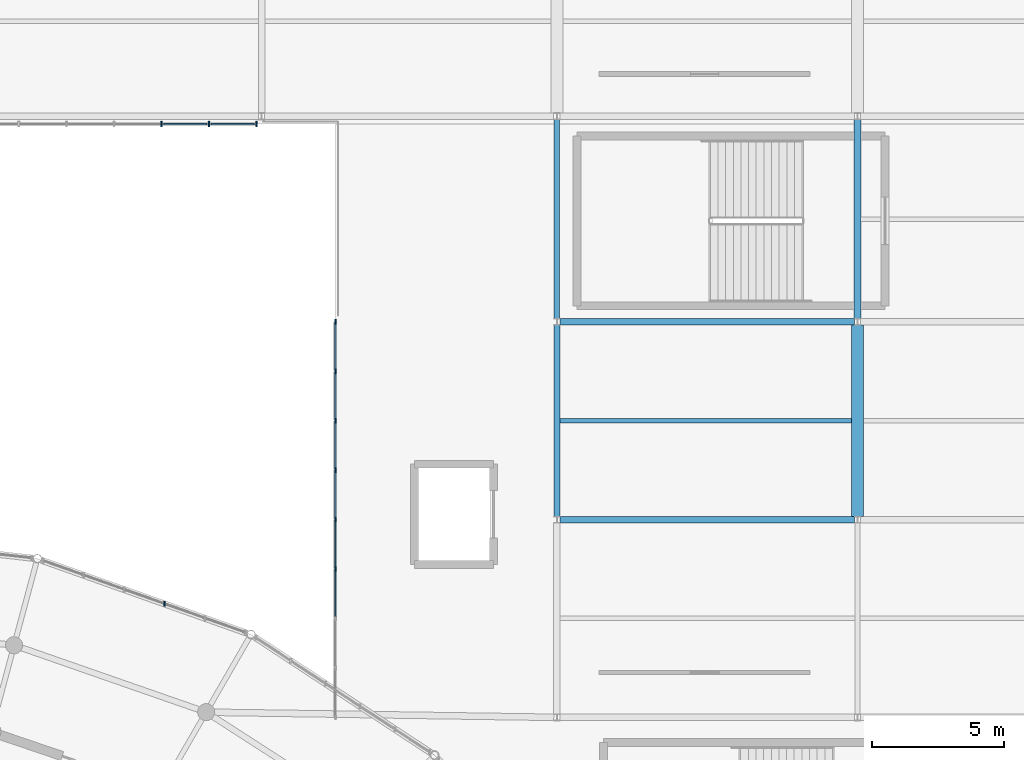
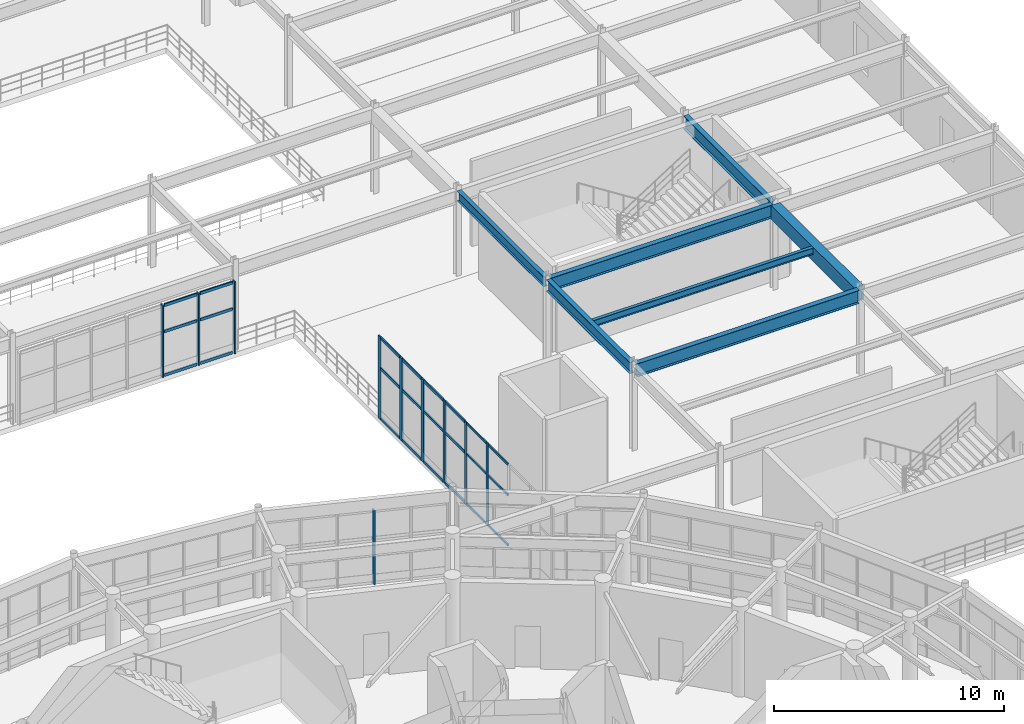
# One storey, part 77 of 144: 34 members, 7 beams, 4 elements without a shape of their own.
"""IFC4 building model written with IfcOpenShell, lengths in metres."""

from ifc_helpers import new_model, si_unit, direction, frame, origin, origin_2d, place, context, subcontext, project, spatial, rectangle, i_section, extrude, material, material_profile, profile_set, type_object, element, aggregate, save


model = new_model("IFC4")

# Units and contexts
model_context = context("Model", 3, precision=1e-05, world=origin(), true_north=direction((0.0, 1.0)))
body_context = subcontext(model_context, "Body", "Model", "MODEL_VIEW")
ifc_project = project(units=[si_unit("LENGTHUNIT", "METRE"), si_unit("AREAUNIT", "SQUARE_METRE"), si_unit("VOLUMEUNIT", "CUBIC_METRE"), si_unit("PLANEANGLEUNIT", "RADIAN"), si_unit("MASSUNIT", "GRAM", prefix="KILO")], contexts=[model_context])

# Site, building, storey
site_placement = place(None, origin())
site = spatial("IfcSite", under=ifc_project, at=site_placement, CompositionType="ELEMENT")
building_placement = place(site_placement, origin())
building = spatial("IfcBuilding", under=site, at=building_placement, Name="Cinderbank Siding Concert Hall", CompositionType="ELEMENT")
storey_placement = place(building_placement, frame((0.0, 0.0, 5.39990234375)))
storey = spatial("IfcBuildingStorey", under=building, at=storey_placement, Name="L02", CompositionType="ELEMENT", Elevation=5.39990234375)

# Beams
ifc_material_1 = material(Name="Reinforced concrete AS 3600 N50 (50 MPa)", Category="concrete")
ifc_material_profile_1 = material_profile(ifc_material_1, rectangle(XDim=0.449951171875, YDim=0.75, at=origin_2d()), Name="RC-BM-450x750", Category="LoadBearing")
ifc_profile_set_1 = profile_set([ifc_material_profile_1], Name="Reinforced concrete AS 3600 N50 (50 MPa)")
beam_type_1 = type_object("IfcBeamType", Name="BM-RC750 RC-BM-450x750", PredefinedType="BEAM", material=ifc_profile_set_1)
beam_1_placement = place(storey_placement, frame((161.800048828125, 73.4189453125, 4.177001953125), z_axis=(0.0, 1.0, 0.0), x_axis=(-1.0, 0.0, 0.0)))
element("IfcBeam", 1, at=beam_1_placement, inside=storey, type_object=beam_type_1, Name="L02 Beam BM-RC750 #1628", PredefinedType="BEAM", context=body_context, shape_type="SweptSolid", body=[
    extrude(rectangle(XDim=0.449951171875, YDim=0.75, at=origin_2d()), origin(), (0.0, 0.0, 1.0), 7.261962890625),
])
ifc_material_2 = material(Name="Structural steel AS/NZS 3679.1 Grade 350 (340 MPa)", Category="steel")
ifc_material_profile_2 = material_profile(ifc_material_2, i_section(OverallWidth=0.208984375, OverallDepth=0.5283203125, WebThickness=0.009521484375, FlangeThickness=0.01318359375, at=origin_2d()), Name="530UB82.0", Category="LoadBearing")
ifc_profile_set_2 = profile_set([ifc_material_profile_2], Name="Structural steel AS/NZS 3679.1 Grade 350 (340 MPa)")
beam_type_2 = type_object("IfcBeamType", Name="BM-UB530 530UB82.0", PredefinedType="BEAM", material=ifc_profile_set_2)
beam_2_placement = place(storey_placement, frame((150.39990234375, 80.9189453125, 4.278076171875), z_axis=(0.0, 1.0, 0.0), x_axis=(-1.0, 0.0, 0.0)))
element("IfcBeam", 2, at=beam_2_placement, inside=storey, type_object=beam_type_2, Name="L02 Beam BM-UB530 #1624", PredefinedType="BEAM", context=body_context, shape_type="SweptSolid", body=[
    extrude(i_section(OverallWidth=0.208984375, OverallDepth=0.5283203125, WebThickness=0.009521484375, FlangeThickness=0.01318359375, at=origin_2d()), origin(), (0.0, 0.0, 1.0), 7.56103515625),
])
ifc_material_profile_3 = material_profile(ifc_material_2, i_section(OverallWidth=0.22802734375, OverallDepth=0.602294921875, WebThickness=0.010498046875, FlangeThickness=0.014892578125, at=origin_2d()), Name="610UB101", Category="LoadBearing")
ifc_profile_set_3 = profile_set([ifc_material_profile_3], Name="Structural steel AS/NZS 3679.1 Grade 350 (340 MPa)")
beam_type_3 = type_object("IfcBeamType", Name="BM-UB610 610UB101", PredefinedType="BEAM", material=ifc_profile_set_3)
beam_3_placement = place(storey_placement, frame((150.39990234375, 73.4189453125, 4.2509765625), z_axis=(0.0, 1.0, 0.0), x_axis=(-1.0, 0.0, 0.0)))
element("IfcBeam", 3, at=beam_3_placement, inside=storey, type_object=beam_type_3, Name="L02 Beam BM-UB610 #1622", PredefinedType="BEAM", context=body_context, shape_type="SweptSolid", body=[
    extrude(i_section(OverallWidth=0.22802734375, OverallDepth=0.602294921875, WebThickness=0.010498046875, FlangeThickness=0.014892578125, at=origin_2d()), origin(), (0.0, 0.0, 1.0), 7.261962890625),
])
ifc_material_3 = material(Name="Structural steel welded plate section AS/NZS 3679.2 / AS/NZS 3678 Grade 350 (340 MPa)", Category="steel")
ifc_material_profile_4 = material_profile(ifc_material_3, i_section(OverallWidth=0.25, OverallDepth=0.699951171875, WebThickness=0.010009765625, FlangeThickness=0.01611328125, at=origin_2d()), Name="700WB130", Category="LoadBearing")
ifc_profile_set_4 = profile_set([ifc_material_profile_4], Name="Structural steel welded plate section AS/NZS 3679.2 / AS/NZS 3678 Grade 350 (340 MPa)")
beam_type_4 = type_object("IfcBeamType", Name="BM-WB700 700WB130", PredefinedType="BEAM", material=ifc_profile_set_4)
for number, where, z_axis, x_axis, name in (
    (4, (150.51904296875, 73.300048828125, 4.2021484375), (1.0, 0.0, 0.0), (0.0, 1.0, 0.0), "L02 Beam BM-WB700 #1621"),
    (5, (150.51904296875, 80.800048828125, 4.2021484375), (1.0, 0.0, 0.0), (0.0, 1.0, 0.0), "L02 Beam BM-WB700 #1623"),
):
    element("IfcBeam", number, at=place(storey_placement, frame(where, z_axis=z_axis, x_axis=x_axis)), inside=storey, type_object=beam_type_4, Name=name, PredefinedType="BEAM", context=body_context, shape_type="SweptSolid", body=[
        extrude(i_section(OverallWidth=0.25, OverallDepth=0.699951171875, WebThickness=0.010009765625, FlangeThickness=0.01611328125, at=origin_2d()), origin(), (0.0, 0.0, 1.0), 11.161865234375),
    ])
beam_4_placement = place(storey_placement, frame((161.800048828125, 80.9189453125, 4.192138671875), z_axis=(0.0, 1.0, 0.0), x_axis=(-1.0, 0.0, 0.0)))
element("IfcBeam", 6, at=beam_4_placement, inside=storey, type_object=beam_type_4, Name="L02 Beam BM-WB700 #1630", PredefinedType="BEAM", context=body_context, shape_type="SweptSolid", body=[
    extrude(i_section(OverallWidth=0.25, OverallDepth=0.699951171875, WebThickness=0.010009765625, FlangeThickness=0.01611328125, at=origin_2d()), origin(), (0.0, 0.0, 1.0), 7.56103515625),
])

# Curtain wall, members
ifc_material_4 = material(Name="Anodised aluminium alloy 6063-T6", Category="aluminium")
curtain_wall_type_1 = type_object("IfcCurtainWallType", Name="CW-16 Unitised Acoustic Curtain Wall 9200x3800", PredefinedType="NOTDEFINED", material=ifc_material_4)
curtain_wall_1_placement = place(storey_placement, origin())
curtain_wall_1 = element("IfcCurtainWall", 7, at=curtain_wall_1_placement, inside=storey, type_object=curtain_wall_type_1, Name="L02 Curtain Wall CW-16 #146", PredefinedType="NOTDEFINED")
ifc_material_profile_5 = material_profile(ifc_material_4, rectangle(XDim=0.06005859375, YDim=0.159912109375, at=origin_2d()), Name="ALU-MULL-60x160", Category="LoadBearing")
ifc_profile_set_5 = profile_set([ifc_material_profile_5], Name="Anodised aluminium alloy 6063-T6")
member_type_1 = type_object("IfcMemberType", Name="CW-ML1 Mullion 60x160", PredefinedType="MULLION", material=ifc_profile_set_5)
member_1_placement = place(storey_placement, frame((142.0, 71.425048828125, 0.0), z_axis=(0.0, 0.0, 1.0), x_axis=(1.0, 0.0, 0.0)))
member_1 = element("IfcMember", 8, at=member_1_placement, type_object=member_type_1, Name="CW-L02-146 Mullion 3", PredefinedType="MULLION", context=body_context, shape_type="SweptSolid", body=[
    extrude(rectangle(XDim=0.06005859375, YDim=0.159912109375, at=origin_2d()), origin(), (0.0, 0.0, 1.0), 4.400146484375),
])
member_2_placement = place(storey_placement, frame((142.0, 73.300048828125, 0.0), z_axis=(0.0, 0.0, 1.0), x_axis=(1.0, 0.0, 0.0)))
member_2 = element("IfcMember", 9, at=member_2_placement, type_object=member_type_1, Name="CW-L02-146 Mullion 4", PredefinedType="MULLION", context=body_context, shape_type="SweptSolid", body=[
    extrude(rectangle(XDim=0.06005859375, YDim=0.159912109375, at=origin_2d()), origin(), (0.0, 0.0, 1.0), 4.400146484375),
])

# Curtain wall, member
curtain_wall_type_2 = type_object("IfcCurtainWallType", Name="CW-05 Unitised Acoustic Curtain Wall 8200x3800", PredefinedType="NOTDEFINED", material=ifc_material_4)
curtain_wall_2_placement = place(storey_placement, origin())
curtain_wall_2 = element("IfcCurtainWall", 10, at=curtain_wall_2_placement, inside=storey, type_object=curtain_wall_type_2, Name="L02 Curtain Wall CW-05 #5", PredefinedType="NOTDEFINED")
ifc_material_profile_6 = material_profile(ifc_material_4, rectangle(XDim=0.06494140625, YDim=0.199951171875, at=origin_2d()), Name="ALU-MULL-65x200", Category="LoadBearing")
ifc_profile_set_6 = profile_set([ifc_material_profile_6], Name="Anodised aluminium alloy 6063-T6")
member_type_2 = type_object("IfcMemberType", Name="CW-ML2 Mullion 65x200", PredefinedType="MULLION", material=ifc_profile_set_6)
member_3_placement = place(storey_placement, frame((135.515625, 70.107666015625, 0.0), z_axis=(0.0, 0.0, 1.0), x_axis=(1.0, 0.0, 0.0)))
member_3 = element("IfcMember", 11, at=member_3_placement, type_object=member_type_2, Name="CW-L02-005 Mullion 2", PredefinedType="MULLION", context=body_context, shape_type="SweptSolid", body=[
    extrude(rectangle(XDim=0.06494140625, YDim=0.199951171875, at=origin_2d()), origin(), (0.0, 0.0, 1.0), 3.93701171875),
])
aggregate(curtain_wall_2, [member_3])

# Curtain wall, members
curtain_wall_3_placement = place(storey_placement, origin())
curtain_wall_3 = element("IfcCurtainWall", 12, at=curtain_wall_3_placement, inside=storey, type_object=curtain_wall_type_1, Name="L02 Curtain Wall CW-16 #147", PredefinedType="NOTDEFINED")
member_4_placement = place(storey_placement, frame((142.0, 75.175048828125, 0.0), z_axis=(0.0, 0.0, 1.0), x_axis=(1.0, 0.0, 0.0)))
member_4 = element("IfcMember", 13, at=member_4_placement, type_object=member_type_2, Name="CW-L02-147 Mullion 1", PredefinedType="MULLION", context=body_context, shape_type="SweptSolid", body=[
    extrude(rectangle(XDim=0.06494140625, YDim=0.199951171875, at=origin_2d()), origin(), (0.0, 0.0, 1.0), 4.400146484375),
])
member_5_placement = place(storey_placement, frame((142.0, 77.050048828125, 0.0), z_axis=(0.0, 0.0, 1.0), x_axis=(1.0, 0.0, 0.0)))
member_5 = element("IfcMember", 14, at=member_5_placement, type_object=member_type_2, Name="CW-L02-147 Mullion 2", PredefinedType="MULLION", context=body_context, shape_type="SweptSolid", body=[
    extrude(rectangle(XDim=0.06494140625, YDim=0.199951171875, at=origin_2d()), origin(), (0.0, 0.0, 1.0), 4.400146484375),
])
member_6_placement = place(storey_placement, frame((142.0, 78.925048828125, 0.0), z_axis=(0.0, 0.0, 1.0), x_axis=(1.0, 0.0, 0.0)))
member_6 = element("IfcMember", 15, at=member_6_placement, type_object=member_type_2, Name="CW-L02-147 Mullion 3", PredefinedType="MULLION", context=body_context, shape_type="SweptSolid", body=[
    extrude(rectangle(XDim=0.06494140625, YDim=0.199951171875, at=origin_2d()), origin(), (0.0, 0.0, 1.0), 4.400146484375),
])
member_7_placement = place(storey_placement, frame((142.0, 80.800048828125, 0.0), z_axis=(0.0, 0.0, 1.0), x_axis=(1.0, 0.0, 0.0)))
member_7 = element("IfcMember", 16, at=member_7_placement, type_object=member_type_2, Name="CW-L02-147 Mullion 4", PredefinedType="MULLION", context=body_context, shape_type="SweptSolid", body=[
    extrude(rectangle(XDim=0.06494140625, YDim=0.199951171875, at=origin_2d()), origin(), (0.0, 0.0, 1.0), 4.400146484375),
])

curtain_wall_4_placement = place(storey_placement, origin())
curtain_wall_4 = element("IfcCurtainWall", 17, at=curtain_wall_4_placement, inside=storey, type_object=curtain_wall_type_1, Name="L02 Curtain Wall CW-16 #151", PredefinedType="NOTDEFINED")
member_8_placement = place(storey_placement, frame((135.40234375, 88.300048828125, 0.0), z_axis=(0.0, 0.0, 1.0), x_axis=(1.0, 0.0, 0.0)))
member_8 = element("IfcMember", 18, at=member_8_placement, type_object=member_type_2, Name="CW-L02-151 Mullion 4", PredefinedType="MULLION", context=body_context, shape_type="SweptSolid", body=[
    extrude(rectangle(XDim=0.06494140625, YDim=0.199951171875, at=origin_2d()), origin(), (0.0, 0.0, 1.0), 3.8271484375),
])
member_9_placement = place(storey_placement, frame((137.20458984375, 88.300048828125, 0.0), z_axis=(0.0, 0.0, 1.0), x_axis=(1.0, 0.0, 0.0)))
member_9 = element("IfcMember", 19, at=member_9_placement, type_object=member_type_2, Name="CW-L02-151 Mullion 5", PredefinedType="MULLION", context=body_context, shape_type="SweptSolid", body=[
    extrude(rectangle(XDim=0.06494140625, YDim=0.199951171875, at=origin_2d()), origin(), (0.0, 0.0, 1.0), 3.8271484375),
])
member_10_placement = place(storey_placement, frame((139.007080078125, 88.300048828125, 0.0), z_axis=(0.0, 0.0, 1.0), x_axis=(1.0, 0.0, 0.0)))
member_10 = element("IfcMember", 20, at=member_10_placement, type_object=member_type_2, Name="CW-L02-151 Mullion 6", PredefinedType="MULLION", context=body_context, shape_type="SweptSolid", body=[
    extrude(rectangle(XDim=0.06494140625, YDim=0.199951171875, at=origin_2d()), origin(), (0.0, 0.0, 1.0), 3.8271484375),
])

# Member
ifc_material_profile_7 = material_profile(ifc_material_4, rectangle(XDim=0.06005859375, YDim=0.1201171875, at=origin_2d()), Name="ALU-TRAN-60x120", Category="LoadBearing")
ifc_profile_set_7 = profile_set([ifc_material_profile_7], Name="Anodised aluminium alloy 6063-T6")
member_type_3 = type_object("IfcMemberType", Name="CW-TR1 Transom 60x120", PredefinedType="USERDEFINED", material=ifc_profile_set_7)
member_11_placement = place(storey_placement, frame((142.0, 69.643798828125, 0.06005859375), z_axis=(0.0, 1.0, 0.0), x_axis=(-1.0, 0.0, 0.0)))
member_11 = element("IfcMember", 21, at=member_11_placement, type_object=member_type_3, Name="CW-L02-146 Transom 2-0", ObjectType="TRANSOM", PredefinedType="USERDEFINED", context=body_context, shape_type="SweptSolid", body=[
    extrude(rectangle(XDim=0.06005859375, YDim=0.1201171875, at=origin_2d()), origin(), (0.0, 0.0, 1.0), 1.6875),
])

member_12_placement = place(storey_placement, frame((142.0, 69.643798828125, 2.72802734375), z_axis=(0.0, 1.0, 0.0), x_axis=(-1.0, 0.0, 0.0)))
member_12 = element("IfcMember", 22, at=member_12_placement, type_object=member_type_3, Name="CW-L02-146 Transom 2-1", ObjectType="TRANSOM", PredefinedType="USERDEFINED", context=body_context, shape_type="SweptSolid", body=[
    extrude(rectangle(XDim=0.06005859375, YDim=0.1201171875, at=origin_2d()), origin(), (0.0, 0.0, 1.0), 1.6875),
])

member_13_placement = place(storey_placement, frame((142.0, 69.643798828125, 4.340087890625), z_axis=(0.0, 1.0, 0.0), x_axis=(-1.0, 0.0, 0.0)))
member_13 = element("IfcMember", 23, at=member_13_placement, type_object=member_type_3, Name="CW-L02-146 Transom 2-2", ObjectType="TRANSOM", PredefinedType="USERDEFINED", context=body_context, shape_type="SweptSolid", body=[
    extrude(rectangle(XDim=0.06005859375, YDim=0.1201171875, at=origin_2d()), origin(), (0.0, 0.0, 1.0), 1.6875),
])

member_14_placement = place(storey_placement, frame((142.0, 71.518798828125, 0.06005859375), z_axis=(0.0, 1.0, 0.0), x_axis=(-1.0, 0.0, 0.0)))
member_14 = element("IfcMember", 24, at=member_14_placement, type_object=member_type_3, Name="CW-L02-146 Transom 3-0", ObjectType="TRANSOM", PredefinedType="USERDEFINED", context=body_context, shape_type="SweptSolid", body=[
    extrude(rectangle(XDim=0.06005859375, YDim=0.1201171875, at=origin_2d()), origin(), (0.0, 0.0, 1.0), 1.6875),
])

member_15_placement = place(storey_placement, frame((142.0, 71.518798828125, 2.72802734375), z_axis=(0.0, 1.0, 0.0), x_axis=(-1.0, 0.0, 0.0)))
member_15 = element("IfcMember", 25, at=member_15_placement, type_object=member_type_3, Name="CW-L02-146 Transom 3-1", ObjectType="TRANSOM", PredefinedType="USERDEFINED", context=body_context, shape_type="SweptSolid", body=[
    extrude(rectangle(XDim=0.06005859375, YDim=0.1201171875, at=origin_2d()), origin(), (0.0, 0.0, 1.0), 1.6875),
])

member_16_placement = place(storey_placement, frame((142.0, 71.518798828125, 4.340087890625), z_axis=(0.0, 1.0, 0.0), x_axis=(-1.0, 0.0, 0.0)))
member_16 = element("IfcMember", 26, at=member_16_placement, type_object=member_type_3, Name="CW-L02-146 Transom 3-2", ObjectType="TRANSOM", PredefinedType="USERDEFINED", context=body_context, shape_type="SweptSolid", body=[
    extrude(rectangle(XDim=0.06005859375, YDim=0.1201171875, at=origin_2d()), origin(), (0.0, 0.0, 1.0), 1.6875),
])

aggregate(curtain_wall_1, [member_1, member_2, member_11, member_12, member_13, member_14, member_15, member_16])

ifc_material_profile_8 = material_profile(ifc_material_4, rectangle(XDim=0.06494140625, YDim=0.14990234375, at=origin_2d()), Name="ALU-TRAN-65x150", Category="LoadBearing")
ifc_profile_set_8 = profile_set([ifc_material_profile_8], Name="Anodised aluminium alloy 6063-T6")
member_type_4 = type_object("IfcMemberType", Name="CW-TR2 Transom 65x150", PredefinedType="USERDEFINED", material=ifc_profile_set_8)
member_17_placement = place(storey_placement, frame((142.0, 73.393798828125, 0.06005859375), z_axis=(0.0, 1.0, 0.0), x_axis=(-1.0, 0.0, 0.0)))
member_17 = element("IfcMember", 27, at=member_17_placement, type_object=member_type_4, Name="CW-L02-147 Transom 0-0", ObjectType="TRANSOM", PredefinedType="USERDEFINED", context=body_context, shape_type="SweptSolid", body=[
    extrude(rectangle(XDim=0.06494140625, YDim=0.14990234375, at=origin_2d()), origin(), (0.0, 0.0, 1.0), 1.6875),
])

member_18_placement = place(storey_placement, frame((142.0, 73.393798828125, 2.72802734375), z_axis=(0.0, 1.0, 0.0), x_axis=(-1.0, 0.0, 0.0)))
member_18 = element("IfcMember", 28, at=member_18_placement, type_object=member_type_4, Name="CW-L02-147 Transom 0-1", ObjectType="TRANSOM", PredefinedType="USERDEFINED", context=body_context, shape_type="SweptSolid", body=[
    extrude(rectangle(XDim=0.06494140625, YDim=0.14990234375, at=origin_2d()), origin(), (0.0, 0.0, 1.0), 1.6875),
])

member_19_placement = place(storey_placement, frame((142.0, 73.393798828125, 4.340087890625), z_axis=(0.0, 1.0, 0.0), x_axis=(-1.0, 0.0, 0.0)))
member_19 = element("IfcMember", 29, at=member_19_placement, type_object=member_type_4, Name="CW-L02-147 Transom 0-2", ObjectType="TRANSOM", PredefinedType="USERDEFINED", context=body_context, shape_type="SweptSolid", body=[
    extrude(rectangle(XDim=0.06494140625, YDim=0.14990234375, at=origin_2d()), origin(), (0.0, 0.0, 1.0), 1.6875),
])

member_20_placement = place(storey_placement, frame((142.0, 75.268798828125, 0.06005859375), z_axis=(0.0, 1.0, 0.0), x_axis=(-1.0, 0.0, 0.0)))
member_20 = element("IfcMember", 30, at=member_20_placement, type_object=member_type_4, Name="CW-L02-147 Transom 1-0", ObjectType="TRANSOM", PredefinedType="USERDEFINED", context=body_context, shape_type="SweptSolid", body=[
    extrude(rectangle(XDim=0.06494140625, YDim=0.14990234375, at=origin_2d()), origin(), (0.0, 0.0, 1.0), 1.6875),
])

member_21_placement = place(storey_placement, frame((142.0, 75.268798828125, 2.72802734375), z_axis=(0.0, 1.0, 0.0), x_axis=(-1.0, 0.0, 0.0)))
member_21 = element("IfcMember", 31, at=member_21_placement, type_object=member_type_4, Name="CW-L02-147 Transom 1-1", ObjectType="TRANSOM", PredefinedType="USERDEFINED", context=body_context, shape_type="SweptSolid", body=[
    extrude(rectangle(XDim=0.06494140625, YDim=0.14990234375, at=origin_2d()), origin(), (0.0, 0.0, 1.0), 1.6875),
])

member_22_placement = place(storey_placement, frame((142.0, 75.268798828125, 4.340087890625), z_axis=(0.0, 1.0, 0.0), x_axis=(-1.0, 0.0, 0.0)))
member_22 = element("IfcMember", 32, at=member_22_placement, type_object=member_type_4, Name="CW-L02-147 Transom 1-2", ObjectType="TRANSOM", PredefinedType="USERDEFINED", context=body_context, shape_type="SweptSolid", body=[
    extrude(rectangle(XDim=0.06494140625, YDim=0.14990234375, at=origin_2d()), origin(), (0.0, 0.0, 1.0), 1.6875),
])

member_23_placement = place(storey_placement, frame((142.0, 77.143798828125, 0.06005859375), z_axis=(0.0, 1.0, 0.0), x_axis=(-1.0, 0.0, 0.0)))
member_23 = element("IfcMember", 33, at=member_23_placement, type_object=member_type_4, Name="CW-L02-147 Transom 2-0", ObjectType="TRANSOM", PredefinedType="USERDEFINED", context=body_context, shape_type="SweptSolid", body=[
    extrude(rectangle(XDim=0.06494140625, YDim=0.14990234375, at=origin_2d()), origin(), (0.0, 0.0, 1.0), 1.6875),
])

member_24_placement = place(storey_placement, frame((142.0, 77.143798828125, 2.72802734375), z_axis=(0.0, 1.0, 0.0), x_axis=(-1.0, 0.0, 0.0)))
member_24 = element("IfcMember", 34, at=member_24_placement, type_object=member_type_4, Name="CW-L02-147 Transom 2-1", ObjectType="TRANSOM", PredefinedType="USERDEFINED", context=body_context, shape_type="SweptSolid", body=[
    extrude(rectangle(XDim=0.06494140625, YDim=0.14990234375, at=origin_2d()), origin(), (0.0, 0.0, 1.0), 1.6875),
])

member_25_placement = place(storey_placement, frame((142.0, 77.143798828125, 4.340087890625), z_axis=(0.0, 1.0, 0.0), x_axis=(-1.0, 0.0, 0.0)))
member_25 = element("IfcMember", 35, at=member_25_placement, type_object=member_type_4, Name="CW-L02-147 Transom 2-2", ObjectType="TRANSOM", PredefinedType="USERDEFINED", context=body_context, shape_type="SweptSolid", body=[
    extrude(rectangle(XDim=0.06494140625, YDim=0.14990234375, at=origin_2d()), origin(), (0.0, 0.0, 1.0), 1.6875),
])

member_26_placement = place(storey_placement, frame((142.0, 79.018798828125, 0.06005859375), z_axis=(0.0, 1.0, 0.0), x_axis=(-1.0, 0.0, 0.0)))
member_26 = element("IfcMember", 36, at=member_26_placement, type_object=member_type_4, Name="CW-L02-147 Transom 3-0", ObjectType="TRANSOM", PredefinedType="USERDEFINED", context=body_context, shape_type="SweptSolid", body=[
    extrude(rectangle(XDim=0.06494140625, YDim=0.14990234375, at=origin_2d()), origin(), (0.0, 0.0, 1.0), 1.6875),
])

member_27_placement = place(storey_placement, frame((142.0, 79.018798828125, 2.72802734375), z_axis=(0.0, 1.0, 0.0), x_axis=(-1.0, 0.0, 0.0)))
member_27 = element("IfcMember", 37, at=member_27_placement, type_object=member_type_4, Name="CW-L02-147 Transom 3-1", ObjectType="TRANSOM", PredefinedType="USERDEFINED", context=body_context, shape_type="SweptSolid", body=[
    extrude(rectangle(XDim=0.06494140625, YDim=0.14990234375, at=origin_2d()), origin(), (0.0, 0.0, 1.0), 1.6875),
])

member_28_placement = place(storey_placement, frame((142.0, 79.018798828125, 4.340087890625), z_axis=(0.0, 1.0, 0.0), x_axis=(-1.0, 0.0, 0.0)))
member_28 = element("IfcMember", 38, at=member_28_placement, type_object=member_type_4, Name="CW-L02-147 Transom 3-2", ObjectType="TRANSOM", PredefinedType="USERDEFINED", context=body_context, shape_type="SweptSolid", body=[
    extrude(rectangle(XDim=0.06494140625, YDim=0.14990234375, at=origin_2d()), origin(), (0.0, 0.0, 1.0), 1.6875),
])

aggregate(curtain_wall_3, [member_4, member_5, member_6, member_7, member_17, member_18, member_19, member_20, member_21, member_22, member_23, member_24, member_25, member_26, member_27, member_28])

member_29_placement = place(storey_placement, frame((135.492431640625, 88.300048828125, 0.06005859375), z_axis=(1.0, 0.0, 0.0), x_axis=(0.0, 1.0, 0.0)))
member_29 = element("IfcMember", 39, at=member_29_placement, type_object=member_type_4, Name="CW-L02-151 Transom 4-0", ObjectType="TRANSOM", PredefinedType="USERDEFINED", context=body_context, shape_type="SweptSolid", body=[
    extrude(rectangle(XDim=0.06494140625, YDim=0.14990234375, at=origin_2d()), origin(), (0.0, 0.0, 1.0), 1.6220703125),
])

member_30_placement = place(storey_placement, frame((135.492431640625, 88.300048828125, 2.372802734375), z_axis=(1.0, 0.0, 0.0), x_axis=(0.0, 1.0, 0.0)))
member_30 = element("IfcMember", 40, at=member_30_placement, type_object=member_type_4, Name="CW-L02-151 Transom 4-1", ObjectType="TRANSOM", PredefinedType="USERDEFINED", context=body_context, shape_type="SweptSolid", body=[
    extrude(rectangle(XDim=0.06494140625, YDim=0.14990234375, at=origin_2d()), origin(), (0.0, 0.0, 1.0), 1.6220703125),
])

member_31_placement = place(storey_placement, frame((135.492431640625, 88.300048828125, 3.76708984375), z_axis=(1.0, 0.0, 0.0), x_axis=(0.0, 1.0, 0.0)))
member_31 = element("IfcMember", 41, at=member_31_placement, type_object=member_type_4, Name="CW-L02-151 Transom 4-2", ObjectType="TRANSOM", PredefinedType="USERDEFINED", context=body_context, shape_type="SweptSolid", body=[
    extrude(rectangle(XDim=0.06494140625, YDim=0.14990234375, at=origin_2d()), origin(), (0.0, 0.0, 1.0), 1.6220703125),
])

member_32_placement = place(storey_placement, frame((137.294921875, 88.300048828125, 0.06005859375), z_axis=(1.0, 0.0, 0.0), x_axis=(0.0, 1.0, 0.0)))
member_32 = element("IfcMember", 42, at=member_32_placement, type_object=member_type_4, Name="CW-L02-151 Transom 5-0", ObjectType="TRANSOM", PredefinedType="USERDEFINED", context=body_context, shape_type="SweptSolid", body=[
    extrude(rectangle(XDim=0.06494140625, YDim=0.14990234375, at=origin_2d()), origin(), (0.0, 0.0, 1.0), 1.6220703125),
])

member_33_placement = place(storey_placement, frame((137.294921875, 88.300048828125, 2.372802734375), z_axis=(1.0, 0.0, 0.0), x_axis=(0.0, 1.0, 0.0)))
member_33 = element("IfcMember", 43, at=member_33_placement, type_object=member_type_4, Name="CW-L02-151 Transom 5-1", ObjectType="TRANSOM", PredefinedType="USERDEFINED", context=body_context, shape_type="SweptSolid", body=[
    extrude(rectangle(XDim=0.06494140625, YDim=0.14990234375, at=origin_2d()), origin(), (0.0, 0.0, 1.0), 1.6220703125),
])

member_34_placement = place(storey_placement, frame((137.294921875, 88.300048828125, 3.76708984375), z_axis=(1.0, 0.0, 0.0), x_axis=(0.0, 1.0, 0.0)))
member_34 = element("IfcMember", 44, at=member_34_placement, type_object=member_type_4, Name="CW-L02-151 Transom 5-2", ObjectType="TRANSOM", PredefinedType="USERDEFINED", context=body_context, shape_type="SweptSolid", body=[
    extrude(rectangle(XDim=0.06494140625, YDim=0.14990234375, at=origin_2d()), origin(), (0.0, 0.0, 1.0), 1.6220703125),
])

aggregate(curtain_wall_4, [member_8, member_9, member_10, member_29, member_30, member_31, member_32, member_33, member_34])

# Beam
ifc_material_profile_9 = material_profile(ifc_material_2, i_section(OverallWidth=0.1708984375, OverallDepth=0.35205078125, WebThickness=0.0068359375, FlangeThickness=0.009765625, at=origin_2d()), Name="360UB44.7", Category="LoadBearing")
ifc_profile_set_9 = profile_set([ifc_material_profile_9], Name="Structural steel AS/NZS 3679.1 Grade 350 (340 MPa)")
beam_type_5 = type_object("IfcBeamType", Name="JS-UB360 360UB44.7", PredefinedType="JOIST", material=ifc_profile_set_9)
beam_5_placement = place(storey_placement, frame((150.506103515625, 77.050048828125, 4.3759765625), z_axis=(1.0, 0.0, 0.0), x_axis=(0.0, 1.0, 0.0)))
element("IfcBeam", 45, at=beam_5_placement, inside=storey, type_object=beam_type_5, Name="L02 Beam JS-UB360 #1691", PredefinedType="JOIST", context=body_context, shape_type="SweptSolid", body=[
    extrude(i_section(OverallWidth=0.1708984375, OverallDepth=0.35205078125, WebThickness=0.0068359375, FlangeThickness=0.009765625, at=origin_2d()), origin(), (0.0, 0.0, 1.0), 11.076904296875),
])

save(model, "model.ifc")
